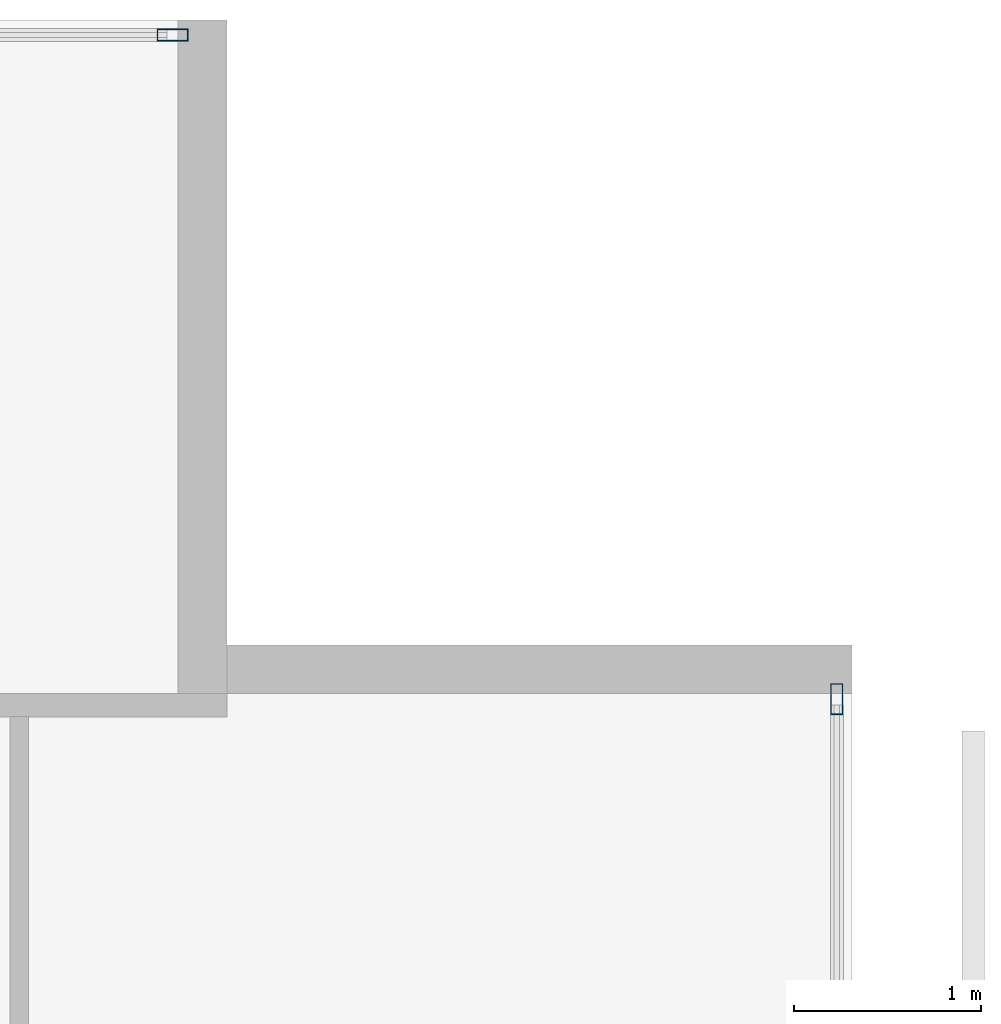
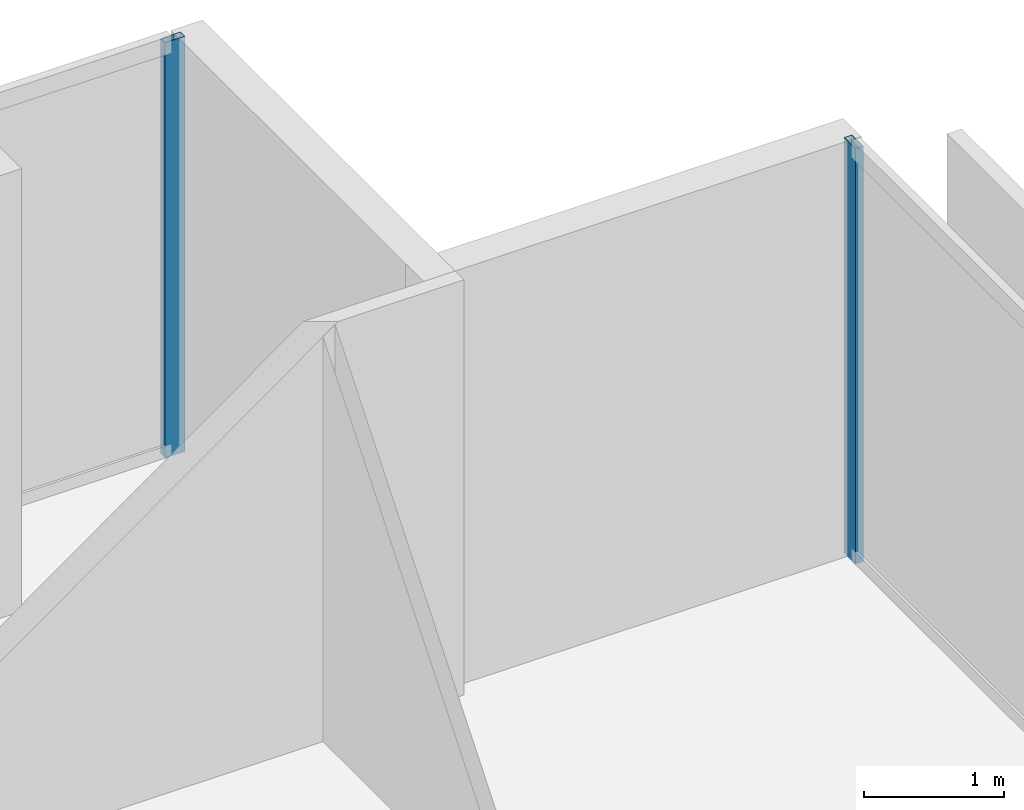
# One storey, part 31 of 40: 2 members, 2 elements without a shape of their own.
"""IFC4 building model written with IfcOpenShell, lengths in metres."""

from ifc_helpers import new_model, si_unit, direction, frame, origin, origin_2d, place, context, subcontext, project, spatial, hollow_rectangle, extrude, material, layer, layer_set, material_profile, profile_set, type_object, element, aggregate, save


model = new_model("IFC4")

# Units and contexts
model_context = context("Model", 3, precision=1e-05, world=origin(), true_north=direction((0.0, 1.0)))
body_context = subcontext(model_context, "Body", "Model", "MODEL_VIEW")
ifc_project = project(units=[si_unit("LENGTHUNIT", "METRE"), si_unit("AREAUNIT", "SQUARE_METRE"), si_unit("VOLUMEUNIT", "CUBIC_METRE"), si_unit("PLANEANGLEUNIT", "RADIAN"), si_unit("MASSUNIT", "GRAM", prefix="KILO")], contexts=[model_context])

# Site, building, storey
site_placement = place(None, origin())
site = spatial("IfcSite", under=ifc_project, at=site_placement, CompositionType="ELEMENT")
building_placement = place(site_placement, origin())
building = spatial("IfcBuilding", under=site, at=building_placement, Name="Maruvema Waterfront Hotel and Observation Tower", CompositionType="ELEMENT")
storey_placement = place(building_placement, frame((0.0, 0.0, 30.800048828125)))
storey = spatial("IfcBuildingStorey", under=building, at=storey_placement, Name="L06", CompositionType="ELEMENT", Elevation=30.800048828125)

# Curtain wall, member
ifc_material_1 = material(Name="Anodised bronze aluminium and solar-control low-E IGU", Category="aluminium")
ifc_layer = layer(ifc_material_1, 0.159912109375, Name="Zone 1 Bronze Inner Thermal Curtain Wall System CW-02")
ifc_layer_set = layer_set([ifc_layer], Name="Anodised bronze aluminium and solar-control low-E IGU")
curtain_wall_type = type_object("IfcCurtainWallType", Name="Zone 1 Bronze Inner Thermal Curtain Wall System CW-02", PredefinedType="USERDEFINED", material=ifc_layer_set)
curtain_wall_1_placement = place(storey_placement, origin())
curtain_wall_1 = element("IfcCurtainWall", 1, at=curtain_wall_1_placement, inside=storey, type_object=curtain_wall_type, Name="L06 Curtain Wall CW-L06-E", ObjectType="UNITISED CURTAIN WALL", PredefinedType="USERDEFINED")
ifc_material_2 = material(Name="Anodised architectural bronze aluminium", Category="aluminium")
ifc_material_profile = material_profile(ifc_material_2, hollow_rectangle(XDim=0.06494140625, YDim=0.1650390625, WallThickness=0.00390625, at=origin_2d()), Name="ALU-M65x165")
ifc_profile_set = profile_set([ifc_material_profile], Name="Anodised architectural bronze aluminium")
member_type = type_object("IfcMemberType", Name="Curtain Wall Primary Mullion ALU-M65x165", PredefinedType="MULLION", material=ifc_profile_set)
member_1_placement = place(storey_placement, frame((64.719970703125, 50.3701171875, 0.0), z_axis=(0.0, 0.0, 1.0), x_axis=(-1.0, 0.0, 0.0)))
member_1 = element("IfcMember", 2, at=member_1_placement, type_object=member_type, Name="CW-02 mullion 7", PredefinedType="MULLION", context=body_context, shape_type="SweptSolid", body=[
    extrude(hollow_rectangle(XDim=0.06494140625, YDim=0.1650390625, WallThickness=0.00390625, at=origin_2d()), origin(), (0.0, 0.0, 1.0), 3.60986328125),
])
aggregate(curtain_wall_1, [member_1])

curtain_wall_2_placement = place(storey_placement, origin())
curtain_wall_2 = element("IfcCurtainWall", 3, at=curtain_wall_2_placement, inside=storey, type_object=curtain_wall_type, Name="L06 Curtain Wall CW-L06-NE", ObjectType="UNITISED CURTAIN WALL", PredefinedType="USERDEFINED")
member_2_placement = place(storey_placement, frame((61.169921875, 53.919921875, 0.0), z_axis=(0.0, 0.0, 1.0), x_axis=(0.0, -1.0, 0.0)))
member_2 = element("IfcMember", 4, at=member_2_placement, type_object=member_type, Name="CW-02 mullion 1", PredefinedType="MULLION", context=body_context, shape_type="SweptSolid", body=[
    extrude(hollow_rectangle(XDim=0.06494140625, YDim=0.1650390625, WallThickness=0.00390625, at=origin_2d()), origin(), (0.0, 0.0, 1.0), 3.60986328125),
])
aggregate(curtain_wall_2, [member_2])

save(model, "model.ifc")
